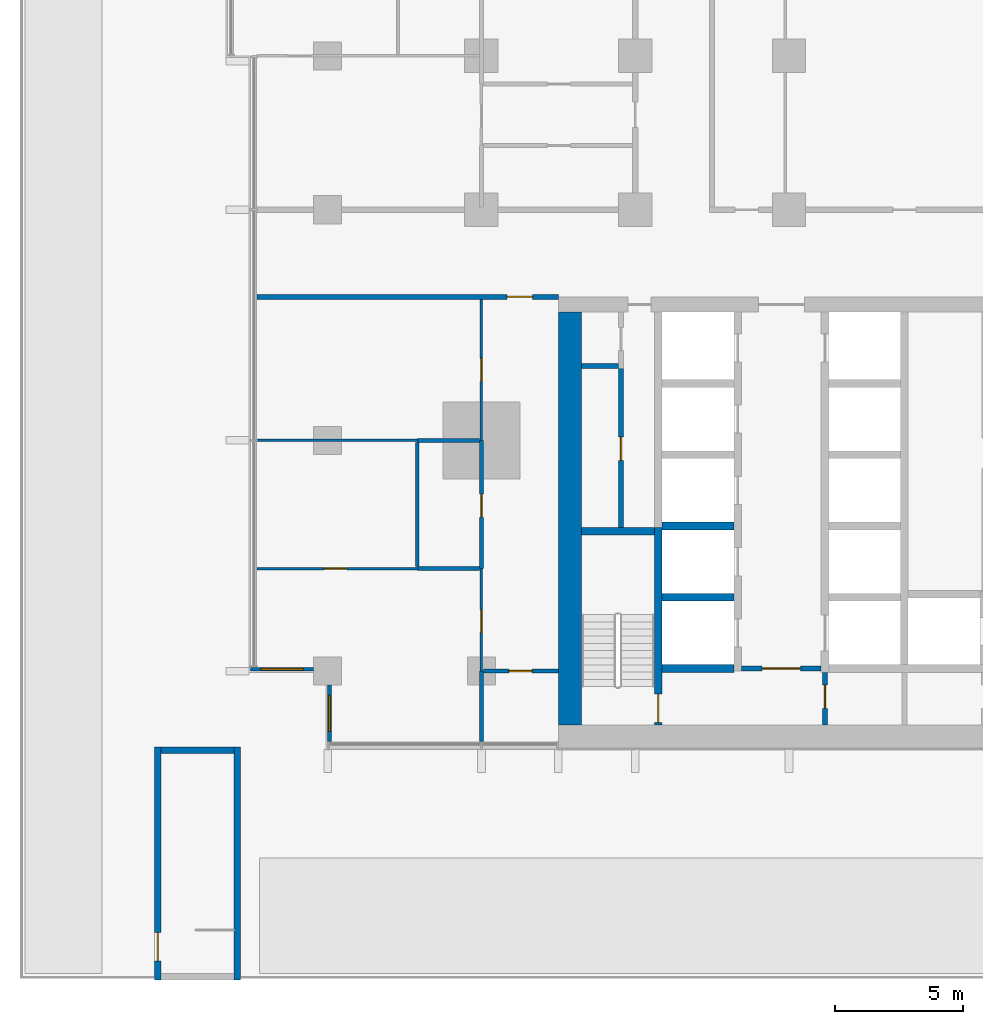
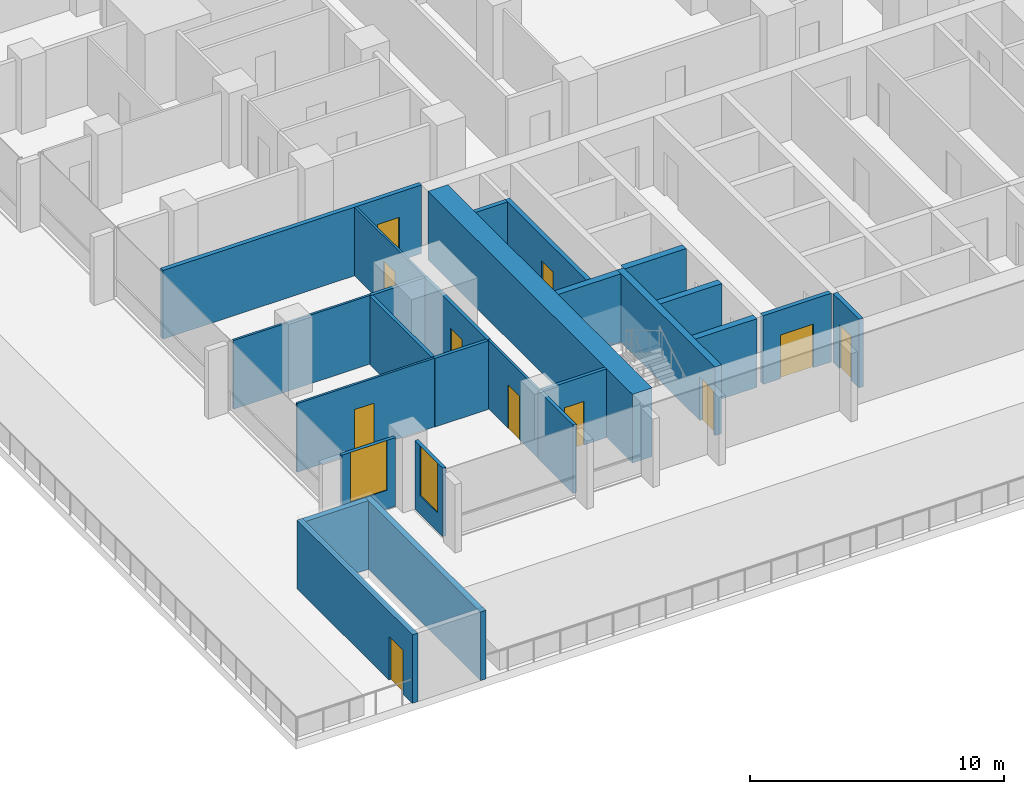
# One storey, part 9 of 25: 26 walls, 11 doors, 2 windows, 13 openings.
"""IFC4 building model written with IfcOpenShell, lengths in metres."""

from ifc_helpers import new_model, si_unit, direction, frame, frame_2d, origin, place, context, subcontext, project, spatial, rectangle, extrude, material, layer, layer_set, type_object, element, fill, save


model = new_model("IFC4")

# Units and contexts
model_context = context("Model", 3, precision=1e-05, world=origin(), true_north=direction((0.0, 1.0)))
body_context = subcontext(model_context, "Body", "Model", "MODEL_VIEW")
ifc_project = project(units=[si_unit("LENGTHUNIT", "METRE"), si_unit("AREAUNIT", "SQUARE_METRE"), si_unit("VOLUMEUNIT", "CUBIC_METRE"), si_unit("PLANEANGLEUNIT", "RADIAN"), si_unit("MASSUNIT", "GRAM", prefix="KILO")], contexts=[model_context])

# Site, building, storey
site_placement = place(None, origin())
site = spatial("IfcSite", under=ifc_project, at=site_placement, CompositionType="ELEMENT")
building_placement = place(site_placement, origin())
building = spatial("IfcBuilding", under=site, at=building_placement, Name="Finial Court Residences", CompositionType="ELEMENT")
storey_placement = place(building_placement, frame((0.0, 0.0, 32.5)))
storey = spatial("IfcBuildingStorey", under=building, at=storey_placement, Name="L06", CompositionType="ELEMENT", Elevation=32.5)

# Wall
ifc_material_1 = material(Name="Concrete C80/95", Category="concrete")
ifc_layer_1 = layer(ifc_material_1, 0.89990234375)
ifc_layer_set_1 = layer_set([ifc_layer_1], Name="Core outer wall 900 Concrete C80/95")
wall_type_1 = type_object("IfcWallType", Name="Core outer wall 900 Concrete C80/95", PredefinedType="SHEAR", material=ifc_layer_set_1)
wall_1_placement = place(storey_placement, frame((-13.050048828125, -24.60009765625, 0.0), z_axis=(0.0, 0.0, 1.0), x_axis=(0.0, 1.0, 0.0)))
element("IfcWall", 1, at=wall_1_placement, inside=storey, type_object=wall_type_1, Name="Core outer wall L06-03", PredefinedType="SHEAR", context=body_context, shape_type="SweptSolid", body=[
    extrude(rectangle(XDim=16.10009765625, YDim=0.89990234375, at=frame_2d((8.050048828125, 0.0))), origin(), (0.0, 0.0, 1.0), 3.300048828125),
])

# Wall, opening, door
ifc_material_2 = material(Name="Gypsum board")
ifc_layer_2 = layer(ifc_material_2, 0.02490234375)
ifc_material_3 = material(Name="Acoustic mineral wool in double frame")
ifc_layer_3 = layer(ifc_material_3, 0.14990234375)
ifc_layer_4 = layer(ifc_material_2, 0.02490234375)
ifc_layer_set_2 = layer_set([ifc_layer_2, ifc_layer_3, ifc_layer_4], Name="Corridor wall 200, 1 hour")
wall_type_2 = type_object("IfcWallType", Name="Corridor wall 200, 1 hour", PredefinedType="PARTITIONING", material=ifc_layer_set_2)
wall_2_placement = place(storey_placement, frame((-25.25, -7.89990234375, 0.0), z_axis=(0.0, 0.0, 1.0), x_axis=(1.0, 0.0, 0.0)))
wall_2 = element("IfcWall", 2, at=wall_2_placement, inside=storey, type_object=wall_type_2, Name="Partition L06-009", PredefinedType="PARTITIONING", context=body_context, shape_type="SweptSolid", body=[
    extrude(rectangle(XDim=11.75, YDim=0.199951171875, at=frame_2d((5.875, 0.0))), origin(), (0.0, 0.0, 1.0), 3.300048828125),
])
opening_1_placement = place(wall_2_placement, frame((9.75, 0.0, 0.0)))
opening_1 = element("IfcOpeningElement", 3, at=opening_1_placement, cuts=wall_2, Name="Opening L06-D005", PredefinedType="OPENING", context=body_context, shape_type="SweptSolid", body=[
    extrude(rectangle(XDim=1.0, YDim=2.10009765625, at=frame_2d((0.5, 1.050048828125))), frame((0.0, 0.10986328125, 0.0), z_axis=(0.0, -1.0, 0.0), x_axis=(1.0, 0.0, 0.0)), (0.0, 0.0, 1.0), 0.219970703125),
])
ifc_material_4 = material(Name="Timber door leaf in hollow metal frame", Category="wood")
door_type_1 = type_object("IfcDoorType", Name="Fire door set 1000 x 2100, 30 minutes", OperationType="SINGLE_SWING_LEFT", PredefinedType="DOOR", material=ifc_material_4)
door_1_placement = place(opening_1_placement, origin())
door_1 = element("IfcDoor", 4, at=door_1_placement, inside=storey, type_object=door_type_1, Name="Door L06-D005", OperationType="SINGLE_SWING_RIGHT", OverallHeight=2.10009765625, OverallWidth=1.0, PredefinedType="DOOR", context=body_context, shape_type="SweptSolid", body=[
    extrude(rectangle(XDim=1.0, YDim=2.10009765625, at=frame_2d((0.5, 1.050048828125))), frame((0.0, 0.02490234375, 0.0), z_axis=(0.0, -1.0, 0.0), x_axis=(1.0, 0.0, 0.0)), (0.0, 0.0, 1.0), 0.050048828125),
])
fill(opening_1, door_1)

ifc_layer_5 = layer(ifc_material_2, 0.012451171875)
ifc_material_5 = material(Name="Mineral wool in light-gauge frame")
ifc_layer_6 = layer(ifc_material_5, 0.074951171875)
ifc_layer_7 = layer(ifc_material_2, 0.012451171875)
ifc_layer_set_3 = layer_set([ifc_layer_5, ifc_layer_6, ifc_layer_7], Name="Gypsum board partition 100")
wall_type_3 = type_object("IfcWallType", Name="Gypsum board partition 100", PredefinedType="PARTITIONING", material=ifc_layer_set_3)
wall_3_placement = place(storey_placement, frame((-25.25, -18.5, 0.0), z_axis=(0.0, 0.0, 1.0), x_axis=(1.0, 0.0, 0.0)))
wall_3 = element("IfcWall", 5, at=wall_3_placement, inside=storey, type_object=wall_type_3, Name="Partition L06-002", PredefinedType="PARTITIONING", context=body_context, shape_type="SweptSolid", body=[
    extrude(rectangle(XDim=6.25, YDim=0.10009765625, at=frame_2d((3.125, 0.0))), origin(), (0.0, 0.0, 1.0), 3.300048828125),
])
opening_2_placement = place(wall_3_placement, frame((2.60009765625, 0.0, 0.0)))
opening_2 = element("IfcOpeningElement", 6, at=opening_2_placement, cuts=wall_3, Name="Opening L06-D003", PredefinedType="OPENING", context=body_context, shape_type="SweptSolid", body=[
    extrude(rectangle(XDim=0.89990234375, YDim=2.10009765625, at=frame_2d((0.449951171875, 1.050048828125))), frame((0.0, 0.06005859375, 0.0), z_axis=(0.0, -1.0, 0.0), x_axis=(1.0, 0.0, 0.0)), (0.0, 0.0, 1.0), 0.1201171875),
])
ifc_material_6 = material(Name="Timber door leaf in timber frame", Category="wood")
door_type_2 = type_object("IfcDoorType", Name="Door set 900 x 2100", OperationType="SINGLE_SWING_LEFT", PredefinedType="DOOR", material=ifc_material_6)
door_2_placement = place(opening_2_placement, origin())
door_2 = element("IfcDoor", 7, at=door_2_placement, inside=storey, type_object=door_type_2, Name="Door L06-D003", OperationType="SINGLE_SWING_RIGHT", OverallHeight=2.10009765625, OverallWidth=0.89990234375, PredefinedType="DOOR", context=body_context, shape_type="SweptSolid", body=[
    extrude(rectangle(XDim=0.89990234375, YDim=2.10009765625, at=frame_2d((0.449951171875, 1.050048828125))), frame((0.0, 0.02490234375, 0.0), z_axis=(0.0, -1.0, 0.0), x_axis=(1.0, 0.0, 0.0)), (0.0, 0.0, 1.0), 0.050048828125),
])
fill(opening_2, door_2)

# Wall
wall_4_placement = place(storey_placement, frame((-25.25, -13.5, 0.0), z_axis=(0.0, 0.0, 1.0), x_axis=(1.0, 0.0, 0.0)))
element("IfcWall", 8, at=wall_4_placement, inside=storey, type_object=wall_type_3, Name="Partition L06-005", PredefinedType="PARTITIONING", context=body_context, shape_type="SweptSolid", body=[
    extrude(rectangle(XDim=6.25, YDim=0.10009765625, at=frame_2d((3.125, 0.0))), origin(), (0.0, 0.0, 1.0), 3.300048828125),
])

# Wall, opening, door
wall_5_placement = place(storey_placement, frame((-16.5, -22.5, 0.0), z_axis=(0.0, 0.0, 1.0), x_axis=(0.0, 1.0, 0.0)))
wall_5 = element("IfcWall", 9, at=wall_5_placement, inside=storey, type_object=wall_type_3, Name="Partition L06-052", PredefinedType="PARTITIONING", context=body_context, shape_type="SweptSolid", body=[
    extrude(rectangle(XDim=4.0, YDim=0.10009765625, at=frame_2d((2.0, 0.0))), origin(), (0.0, 0.0, 1.0), 3.300048828125),
])
opening_3_placement = place(wall_5_placement, frame((1.5, 0.0, 0.0)))
opening_3 = element("IfcOpeningElement", 10, at=opening_3_placement, cuts=wall_5, Name="Opening L06-D037", PredefinedType="OPENING", context=body_context, shape_type="SweptSolid", body=[
    extrude(rectangle(XDim=0.89990234375, YDim=2.10009765625, at=frame_2d((0.449951171875, 1.050048828125))), frame((0.0, 0.06005859375, 0.0), z_axis=(0.0, -1.0, 0.0), x_axis=(1.0, 0.0, 0.0)), (0.0, 0.0, 1.0), 0.1201171875),
])
door_3_placement = place(opening_3_placement, origin())
door_3 = element("IfcDoor", 11, at=door_3_placement, inside=storey, type_object=door_type_2, Name="Door L06-D037", OperationType="SINGLE_SWING_RIGHT", OverallHeight=2.10009765625, OverallWidth=0.89990234375, PredefinedType="DOOR", context=body_context, shape_type="SweptSolid", body=[
    extrude(rectangle(XDim=0.89990234375, YDim=2.10009765625, at=frame_2d((0.449951171875, 1.050048828125))), frame((0.0, 0.02490234375, 0.0), z_axis=(0.0, -1.0, 0.0), x_axis=(1.0, 0.0, 0.0)), (0.0, 0.0, 1.0), 0.050048828125),
])
fill(opening_3, door_3)

wall_6_placement = place(storey_placement, frame((-16.5, -13.5, 0.0), z_axis=(0.0, 0.0, 1.0), x_axis=(0.0, 1.0, 0.0)))
wall_6 = element("IfcWall", 12, at=wall_6_placement, inside=storey, type_object=wall_type_3, Name="Partition L06-053", PredefinedType="PARTITIONING", context=body_context, shape_type="SweptSolid", body=[
    extrude(rectangle(XDim=5.5, YDim=0.10009765625, at=frame_2d((2.75, 0.0))), origin(), (0.0, 0.0, 1.0), 3.300048828125),
])
opening_4_placement = place(wall_6_placement, frame((2.300048828125, 0.0, 0.0)))
opening_4 = element("IfcOpeningElement", 13, at=opening_4_placement, cuts=wall_6, Name="Opening L06-D038", PredefinedType="OPENING", context=body_context, shape_type="SweptSolid", body=[
    extrude(rectangle(XDim=0.89990234375, YDim=2.10009765625, at=frame_2d((0.449951171875, 1.050048828125))), frame((0.0, 0.06005859375, 0.0), z_axis=(0.0, -1.0, 0.0), x_axis=(1.0, 0.0, 0.0)), (0.0, 0.0, 1.0), 0.1201171875),
])
door_4_placement = place(opening_4_placement, origin())
door_4 = element("IfcDoor", 14, at=door_4_placement, inside=storey, type_object=door_type_2, Name="Door L06-D038", OperationType="SINGLE_SWING_RIGHT", OverallHeight=2.10009765625, OverallWidth=0.89990234375, PredefinedType="DOOR", context=body_context, shape_type="SweptSolid", body=[
    extrude(rectangle(XDim=0.89990234375, YDim=2.10009765625, at=frame_2d((0.449951171875, 1.050048828125))), frame((0.0, 0.02490234375, 0.0), z_axis=(0.0, -1.0, 0.0), x_axis=(1.0, 0.0, 0.0)), (0.0, 0.0, 1.0), 0.050048828125),
])
fill(opening_4, door_4)

ifc_material_7 = material(Name="Moisture-resistant gypsum board")
ifc_layer_8 = layer(ifc_material_7, 0.012451171875)
ifc_layer_9 = layer(ifc_material_5, 0.125)
ifc_layer_10 = layer(ifc_material_7, 0.012451171875)
ifc_layer_set_4 = layer_set([ifc_layer_8, ifc_layer_9, ifc_layer_10], Name="Gypsum board wet-area partition 150")
wall_type_4 = type_object("IfcWallType", Name="Gypsum board wet-area partition 150", PredefinedType="PARTITIONING", material=ifc_layer_set_4)
wall_7_placement = place(storey_placement, frame((-16.425048828125, -22.5, 0.0), z_axis=(0.0, 0.0, 1.0), x_axis=(1.0, 0.0, 0.0)))
wall_7 = element("IfcWall", 15, at=wall_7_placement, inside=storey, type_object=wall_type_4, Name="Partition L06-000", PredefinedType="PARTITIONING", context=body_context, shape_type="SweptSolid", body=[
    extrude(rectangle(XDim=2.925048828125, YDim=0.14990234375, at=frame_2d((1.46240234375, 0.0))), origin(), (0.0, 0.0, 1.0), 3.300048828125),
])
opening_5_placement = place(wall_7_placement, frame((1.0, 0.0, 0.0)))
opening_5 = element("IfcOpeningElement", 16, at=opening_5_placement, cuts=wall_7, Name="Opening L06-D001", PredefinedType="OPENING", context=body_context, shape_type="SweptSolid", body=[
    extrude(rectangle(XDim=0.89990234375, YDim=2.10009765625, at=frame_2d((0.449951171875, 1.050048828125))), frame((0.0, 0.0849609375, 0.0), z_axis=(0.0, -1.0, 0.0), x_axis=(1.0, 0.0, 0.0)), (0.0, 0.0, 1.0), 0.169921875),
])
door_5_placement = place(opening_5_placement, origin())
door_5 = element("IfcDoor", 17, at=door_5_placement, inside=storey, type_object=door_type_2, Name="Door L06-D001", OperationType="SINGLE_SWING_LEFT", OverallHeight=2.10009765625, OverallWidth=0.89990234375, PredefinedType="DOOR", context=body_context, shape_type="SweptSolid", body=[
    extrude(rectangle(XDim=0.89990234375, YDim=2.10009765625, at=frame_2d((0.449951171875, 1.050048828125))), frame((0.0, 0.02490234375, 0.0), z_axis=(0.0, -1.0, 0.0), x_axis=(1.0, 0.0, 0.0)), (0.0, 0.0, 1.0), 0.050048828125),
])
fill(opening_5, door_5)

# Walls
for number, where, z_axis, x_axis, name in (
    (18, (-19.0, -18.5, 0.0), (0.0, 0.0, 1.0), (1.0, 0.0, 0.0), "Partition L06-003"),
    (19, (-19.0, -13.5, 0.0), (0.0, 0.0, 1.0), (1.0, 0.0, 0.0), "Partition L06-007"),
):
    element("IfcWall", number, at=place(storey_placement, frame(where, z_axis=z_axis, x_axis=x_axis)), inside=storey, type_object=wall_type_4, Name=name, PredefinedType="PARTITIONING", context=body_context, shape_type="SweptSolid", body=[
        extrude(rectangle(XDim=2.425048828125, YDim=0.14990234375, at=frame_2d((1.21240234375, 0.0))), origin(), (0.0, 0.0, 1.0), 3.300048828125),
    ])
wall_8_placement = place(storey_placement, frame((-19.0, -18.425048828125, 0.0), z_axis=(0.0, 0.0, 1.0), x_axis=(0.0, 1.0, 0.0)))
element("IfcWall", 20, at=wall_8_placement, inside=storey, type_object=wall_type_4, Name="Partition L06-050", PredefinedType="PARTITIONING", context=body_context, shape_type="SweptSolid", body=[
    extrude(rectangle(XDim=4.85009765625, YDim=0.14990234375, at=frame_2d((2.425048828125, 0.0))), origin(), (0.0, 0.0, 1.0), 3.300048828125),
])
wall_9_placement = place(storey_placement, frame((-16.5, -25.25, 0.0), z_axis=(0.0, 0.0, 1.0), x_axis=(0.0, 1.0, 0.0)))
element("IfcWall", 21, at=wall_9_placement, inside=storey, type_object=wall_type_4, Name="Partition L06-056", PredefinedType="PARTITIONING", context=body_context, shape_type="SweptSolid", body=[
    extrude(rectangle(XDim=2.75, YDim=0.14990234375, at=frame_2d((1.375, 0.0))), origin(), (0.0, 0.0, 1.0), 3.300048828125),
])

# Wall, opening, door
wall_10_placement = place(storey_placement, frame((-16.5, -18.5, 0.0), z_axis=(0.0, 0.0, 1.0), x_axis=(0.0, 1.0, 0.0)))
wall_10 = element("IfcWall", 22, at=wall_10_placement, inside=storey, type_object=wall_type_4, Name="Partition L06-057", PredefinedType="PARTITIONING", context=body_context, shape_type="SweptSolid", body=[
    extrude(rectangle(XDim=5.0, YDim=0.14990234375, at=frame_2d((2.5, 0.0))), origin(), (0.0, 0.0, 1.0), 3.300048828125),
])
opening_6_placement = place(wall_10_placement, frame((2.0, 0.0, 0.0)))
opening_6 = element("IfcOpeningElement", 23, at=opening_6_placement, cuts=wall_10, Name="Opening L06-D040", PredefinedType="OPENING", context=body_context, shape_type="SweptSolid", body=[
    extrude(rectangle(XDim=0.89990234375, YDim=2.10009765625, at=frame_2d((0.449951171875, 1.050048828125))), frame((0.0, 0.0849609375, 0.0), z_axis=(0.0, -1.0, 0.0), x_axis=(1.0, 0.0, 0.0)), (0.0, 0.0, 1.0), 0.169921875),
])
door_6_placement = place(opening_6_placement, origin())
door_6 = element("IfcDoor", 24, at=door_6_placement, inside=storey, type_object=door_type_2, Name="Door L06-D040", OperationType="SINGLE_SWING_RIGHT", OverallHeight=2.10009765625, OverallWidth=0.89990234375, PredefinedType="DOOR", context=body_context, shape_type="SweptSolid", body=[
    extrude(rectangle(XDim=0.89990234375, YDim=2.10009765625, at=frame_2d((0.449951171875, 1.050048828125))), frame((0.0, 0.02490234375, 0.0), z_axis=(0.0, -1.0, 0.0), x_axis=(1.0, 0.0, 0.0)), (0.0, 0.0, 1.0), 0.050048828125),
])
fill(opening_6, door_6)

# Walls
ifc_layer_11 = layer(ifc_material_1, 0.300048828125)
ifc_layer_set_5 = layer_set([ifc_layer_11], Name="Lift shaft and stair wall 300 Concrete C80/95")
wall_type_5 = type_object("IfcWallType", Name="Lift shaft and stair wall 300 Concrete C80/95", PredefinedType="SHEAR", material=ifc_layer_set_5)
for number, where, z_axis, x_axis, name in (
    (25, (-9.449951171875, -22.39990234375, 0.0), (0.0, 0.0, 1.0), (1.0, 0.0, 0.0), "Core wall L06-01"),
    (26, (-9.449951171875, -19.6201171875, 0.0), (0.0, 0.0, 1.0), (1.0, 0.0, 0.0), "Core wall L06-05"),
):
    element("IfcWall", number, at=place(storey_placement, frame(where, z_axis=z_axis, x_axis=x_axis)), inside=storey, type_object=wall_type_5, Name=name, PredefinedType="SHEAR", context=body_context, shape_type="SweptSolid", body=[
        extrude(rectangle(XDim=2.800048828125, YDim=0.300048828125, at=frame_2d((1.39990234375, 0.0))), origin(), (0.0, 0.0, 1.0), 3.300048828125),
    ])
wall_11_placement = place(storey_placement, frame((-12.60009765625, -17.050048828125, 0.0), z_axis=(0.0, 0.0, 1.0), x_axis=(1.0, 0.0, 0.0)))
element("IfcWall", 27, at=wall_11_placement, inside=storey, type_object=wall_type_5, Name="Core wall L06-10", PredefinedType="SHEAR", context=body_context, shape_type="SweptSolid", body=[
    extrude(rectangle(XDim=2.85009765625, YDim=0.300048828125, at=frame_2d((1.425048828125, 0.0))), origin(), (0.0, 0.0, 1.0), 3.300048828125),
])
wall_12_placement = place(storey_placement, frame((-9.449951171875, -16.840087890625, 0.0), z_axis=(0.0, 0.0, 1.0), x_axis=(1.0, 0.0, 0.0)))
element("IfcWall", 28, at=wall_12_placement, inside=storey, type_object=wall_type_5, Name="Core wall L06-12", PredefinedType="SHEAR", context=body_context, shape_type="SweptSolid", body=[
    extrude(rectangle(XDim=2.800048828125, YDim=0.300048828125, at=frame_2d((1.39990234375, 0.0))), origin(), (0.0, 0.0, 1.0), 3.300048828125),
])

# Wall, opening, door
wall_13_placement = place(storey_placement, frame((-9.60009765625, -24.60009765625, 0.0), z_axis=(0.0, 0.0, 1.0), x_axis=(0.0, 1.0, 0.0)))
wall_13 = element("IfcWall", 29, at=wall_13_placement, inside=storey, type_object=wall_type_5, Name="Core wall L06-23", PredefinedType="SHEAR", context=body_context, shape_type="SweptSolid", body=[
    extrude(rectangle(XDim=7.7001953125, YDim=0.300048828125, at=frame_2d((3.85009765625, 0.0))), origin(), (0.0, 0.0, 1.0), 3.300048828125),
])
opening_7_placement = place(wall_13_placement, frame((0.10009765625, 0.0, 0.0)))
opening_7 = element("IfcOpeningElement", 30, at=opening_7_placement, cuts=wall_13, Name="Opening L06-C17", PredefinedType="OPENING", context=body_context, shape_type="SweptSolid", body=[
    extrude(rectangle(XDim=1.10009765625, YDim=2.10009765625, at=frame_2d((0.550048828125, 1.050048828125))), frame((0.0, 0.159912109375, 0.0), z_axis=(0.0, -1.0, 0.0), x_axis=(1.0, 0.0, 0.0)), (0.0, 0.0, 1.0), 0.320068359375),
])
ifc_material_8 = material(Name="Steel fire door", Category="steel")
door_type_3 = type_object("IfcDoorType", Name="Stair door 1100 x 2100 EI 90", OperationType="NOTDEFINED", PredefinedType="DOOR", material=ifc_material_8)
door_7_placement = place(opening_7_placement, origin())
door_7 = element("IfcDoor", 31, at=door_7_placement, inside=storey, type_object=door_type_3, Name="Stair door L06-C17", OperationType="SINGLE_SWING_LEFT", OverallHeight=2.10009765625, OverallWidth=1.10009765625, PredefinedType="DOOR", context=body_context, shape_type="SweptSolid", body=[
    extrude(rectangle(XDim=1.10009765625, YDim=2.10009765625, at=frame_2d((0.550048828125, 1.050048828125))), frame((0.0, 0.02490234375, 0.0), z_axis=(0.0, -1.0, 0.0), x_axis=(1.0, 0.0, 0.0)), (0.0, 0.0, 1.0), 0.050048828125),
])
fill(opening_7, door_7)

# Wall, opening, window
ifc_material_9 = material(Name="Natural limestone", Category="masonry")
ifc_layer_12 = layer(ifc_material_9, 0.14990234375)
ifc_layer_set_6 = layer_set([ifc_layer_12], Name="Limestone clad wall 150")
wall_type_6 = type_object("IfcWallType", Name="Limestone clad wall 150", PredefinedType="SOLIDWALL", material=ifc_layer_set_6)
wall_14_placement = place(storey_placement, frame((-22.425048828125, -25.25, 0.0), z_axis=(0.0, 0.0, 1.0), x_axis=(0.0, 1.0, 0.0)))
wall_14 = element("IfcWall", 32, at=wall_14_placement, inside=storey, type_object=wall_type_6, Name="E-L06-NWW12", PredefinedType="SOLIDWALL", context=body_context, shape_type="SweptSolid", body=[
    extrude(rectangle(XDim=2.199951171875, YDim=0.14990234375, at=frame_2d((1.10009765625, 0.0))), origin(), (0.0, 0.0, 1.0), 3.300048828125),
])
opening_8_placement = place(wall_14_placement, frame((0.39990234375, 0.0, 0.89990234375)))
opening_8 = element("IfcOpeningElement", 33, at=opening_8_placement, cuts=wall_14, Name="Opening WE06-01", PredefinedType="OPENING", context=body_context, shape_type="SweptSolid", body=[
    extrude(rectangle(XDim=1.39990234375, YDim=2.39990234375, at=frame_2d((0.699951171875, 1.199951171875))), frame((0.0, 0.0849609375, 0.0), z_axis=(0.0, -1.0, 0.0), x_axis=(1.0, 0.0, 0.0)), (0.0, 0.0, 1.0), 0.169921875),
])
ifc_material_10 = material(Name="Clear low-e glass", Category="glass")
window_type_1 = type_object("IfcWindowType", Name="Corner window 1400 x 2400", PartitioningType="SINGLE_PANEL", PredefinedType="WINDOW", material=ifc_material_10)
window_1_placement = place(opening_8_placement, origin())
window_1 = element("IfcWindow", 34, at=window_1_placement, inside=storey, type_object=window_type_1, Name="E-L06-NWW12-W1", OverallHeight=2.39990234375, OverallWidth=1.39990234375, PartitioningType="SINGLE_PANEL", PredefinedType="WINDOW", context=body_context, shape_type="SweptSolid", body=[
    extrude(rectangle(XDim=1.39990234375, YDim=2.39990234375, at=frame_2d((0.699951171875, 1.199951171875))), frame((0.0, 0.030029296875, 0.0), z_axis=(0.0, -1.0, 0.0), x_axis=(1.0, 0.0, 0.0)), (0.0, 0.0, 1.0), 0.06005859375),
])
fill(opening_8, window_1)

wall_15_placement = place(storey_placement, frame((-23.050048828125, -22.425048828125, 0.0), z_axis=(0.0, 0.0, 1.0), x_axis=(-1.0, 0.0, 0.0)))
wall_15 = element("IfcWall", 35, at=wall_15_placement, inside=storey, type_object=wall_type_6, Name="E-L06-NWS13", PredefinedType="SOLIDWALL", context=body_context, shape_type="SweptSolid", body=[
    extrude(rectangle(XDim=2.449951171875, YDim=0.14990234375, at=frame_2d((1.22509765625, 0.0))), origin(), (0.0, 0.0, 1.0), 3.300048828125),
])
opening_9_placement = place(wall_15_placement, frame((0.39990234375, 0.0, 0.89990234375)))
opening_9 = element("IfcOpeningElement", 36, at=opening_9_placement, cuts=wall_15, Name="Opening WE06-02", PredefinedType="OPENING", context=body_context, shape_type="SweptSolid", body=[
    extrude(rectangle(XDim=1.64990234375, YDim=2.39990234375, at=frame_2d((0.824951171875, 1.199951171875))), frame((0.0, 0.0849609375, 0.0), z_axis=(0.0, -1.0, 0.0), x_axis=(1.0, 0.0, 0.0)), (0.0, 0.0, 1.0), 0.169921875),
])
window_type_2 = type_object("IfcWindowType", Name="Corner window 1650 x 2400", PartitioningType="SINGLE_PANEL", PredefinedType="WINDOW", material=ifc_material_10)
window_2_placement = place(opening_9_placement, origin())
window_2 = element("IfcWindow", 37, at=window_2_placement, inside=storey, type_object=window_type_2, Name="E-L06-NWS13-W1", OverallHeight=2.39990234375, OverallWidth=1.64990234375, PartitioningType="SINGLE_PANEL", PredefinedType="WINDOW", context=body_context, shape_type="SweptSolid", body=[
    extrude(rectangle(XDim=1.64990234375, YDim=2.39990234375, at=frame_2d((0.824951171875, 1.199951171875))), frame((0.0, 0.030029296875, 0.0), z_axis=(0.0, -1.0, 0.0), x_axis=(1.0, 0.0, 0.0)), (0.0, 0.0, 1.0), 0.06005859375),
])
fill(opening_9, window_2)

# Wall
ifc_material_11 = material(Name="Fire-rated gypsum board partition")
ifc_layer_13 = layer(ifc_material_11, 0.199951171875)
ifc_layer_set_7 = layer_set([ifc_layer_13], Name="Riser room wall 200 EI 120")
wall_type_7 = type_object("IfcWallType", Name="Riser room wall 200 EI 120", PredefinedType="PARTITIONING", material=ifc_layer_set_7)
wall_16_placement = place(storey_placement, frame((-12.60009765625, -10.60009765625, 0.0), z_axis=(0.0, 0.0, 1.0), x_axis=(1.0, 0.0, 0.0)))
element("IfcWall", 38, at=wall_16_placement, inside=storey, type_object=wall_type_7, Name="Core partition L06-20", PredefinedType="PARTITIONING", context=body_context, shape_type="SweptSolid", body=[
    extrude(rectangle(XDim=1.4501953125, YDim=0.199951171875, at=frame_2d((0.72509765625, 0.0))), origin(), (0.0, 0.0, 1.0), 3.300048828125),
])

# Wall, opening, door
ifc_material_12 = material(Name="Concrete C50/60", Category="concrete")
ifc_layer_14 = layer(ifc_material_12, 0.25)
ifc_layer_set_8 = layer_set([ifc_layer_14], Name="Stair head-house wall 250 Concrete C50/60")
wall_type_8 = type_object("IfcWallType", Name="Stair head-house wall 250 Concrete C50/60", PredefinedType="SHEAR", material=ifc_layer_set_8)
wall_17_placement = place(storey_placement, frame((-29.125, -34.550048828125, 0.0), z_axis=(0.0, 0.0, 1.0), x_axis=(0.0, 1.0, 0.0)))
wall_17 = element("IfcWall", 39, at=wall_17_placement, inside=storey, type_object=wall_type_8, Name="Exit Stair 4 head-house wall W", PredefinedType="SHEAR", context=body_context, shape_type="SweptSolid", body=[
    extrude(rectangle(XDim=9.080078125, YDim=0.25, at=frame_2d((4.5400390625, 0.0))), origin(), (0.0, 0.0, 1.0), 3.300048828125),
])
opening_10_placement = place(wall_17_placement, frame((0.75, 0.0, 0.0)))
opening_10 = element("IfcOpeningElement", 40, at=opening_10_placement, cuts=wall_17, Name="Opening ST-4-HH", PredefinedType="OPENING", context=body_context, shape_type="SweptSolid", body=[
    extrude(rectangle(XDim=1.10009765625, YDim=2.10009765625, at=frame_2d((0.550048828125, 1.050048828125))), frame((0.0, 0.135009765625, 0.0), z_axis=(0.0, -1.0, 0.0), x_axis=(1.0, 0.0, 0.0)), (0.0, 0.0, 1.0), 0.27001953125),
])
door_8_placement = place(opening_10_placement, origin())
door_8 = element("IfcDoor", 41, at=door_8_placement, inside=storey, type_object=door_type_3, Name="Exit Stair 4 terrace door", OperationType="SINGLE_SWING_LEFT", OverallHeight=2.10009765625, OverallWidth=1.10009765625, PredefinedType="DOOR", context=body_context, shape_type="SweptSolid", body=[
    extrude(rectangle(XDim=1.10009765625, YDim=2.10009765625, at=frame_2d((0.550048828125, 1.050048828125))), frame((0.0, 0.02490234375, 0.0), z_axis=(0.0, -1.0, 0.0), x_axis=(1.0, 0.0, 0.0)), (0.0, 0.0, 1.0), 0.050048828125),
])
fill(opening_10, door_8)

# Walls
wall_18_placement = place(storey_placement, frame((-26.02490234375, -34.550048828125, 0.0), z_axis=(0.0, 0.0, 1.0), x_axis=(0.0, 1.0, 0.0)))
element("IfcWall", 42, at=wall_18_placement, inside=storey, type_object=wall_type_8, Name="Exit Stair 4 head-house wall E", PredefinedType="SHEAR", context=body_context, shape_type="SweptSolid", body=[
    extrude(rectangle(XDim=9.080078125, YDim=0.25, at=frame_2d((4.5400390625, 0.0))), origin(), (0.0, 0.0, 1.0), 3.300048828125),
])
wall_19_placement = place(storey_placement, frame((-29.0, -25.594970703125, 0.0), z_axis=(0.0, 0.0, 1.0), x_axis=(1.0, 0.0, 0.0)))
element("IfcWall", 43, at=wall_19_placement, inside=storey, type_object=wall_type_8, Name="Exit Stair 4 head-house wall N", PredefinedType="SHEAR", context=body_context, shape_type="SweptSolid", body=[
    extrude(rectangle(XDim=2.85009765625, YDim=0.25, at=frame_2d((1.425048828125, 0.0))), origin(), (0.0, 0.0, 1.0), 3.300048828125),
])

# Wall, opening, door
ifc_layer_15 = layer(ifc_material_11, 0.199951171875)
ifc_layer_set_9 = layer_set([ifc_layer_15], Name="Stair passage wall 200 EI 180")
wall_type_9 = type_object("IfcWallType", Name="Stair passage wall 200 EI 180", PredefinedType="PARTITIONING", material=ifc_layer_set_9)
wall_20_placement = place(storey_placement, frame((-3.25, -22.39990234375, 0.0), z_axis=(0.0, 0.0, 1.0), x_axis=(-1.0, 0.0, 0.0)))
wall_20 = element("IfcWall", 44, at=wall_20_placement, inside=storey, type_object=wall_type_9, Name="Core partition L06-02", PredefinedType="PARTITIONING", context=body_context, shape_type="SweptSolid", body=[
    extrude(rectangle(XDim=3.10009765625, YDim=0.199951171875, at=frame_2d((1.550048828125, 0.0))), origin(), (0.0, 0.0, 1.0), 3.300048828125),
])
opening_11_placement = place(wall_20_placement, frame((0.800048828125, 0.0, 0.0)))
opening_11 = element("IfcOpeningElement", 45, at=opening_11_placement, cuts=wall_20, Name="Opening L06-C03", PredefinedType="OPENING", context=body_context, shape_type="SweptSolid", body=[
    extrude(rectangle(XDim=1.5, YDim=2.10009765625, at=frame_2d((0.75, 1.050048828125))), frame((0.0, 0.10986328125, 0.0), z_axis=(0.0, -1.0, 0.0), x_axis=(1.0, 0.0, 0.0)), (0.0, 0.0, 1.0), 0.219970703125),
])
door_type_4 = type_object("IfcDoorType", Name="Lift lobby door 1500 x 2100 EI 60", OperationType="DOUBLE_DOOR_SINGLE_SWING", PredefinedType="DOOR", material=ifc_material_8)
door_9_placement = place(opening_11_placement, origin())
door_9 = element("IfcDoor", 46, at=door_9_placement, inside=storey, type_object=door_type_4, Name="Lift lobby door L06-C03", OperationType="DOUBLE_DOOR_SINGLE_SWING", OverallHeight=2.10009765625, OverallWidth=1.5, PredefinedType="DOOR", context=body_context, shape_type="SweptSolid", body=[
    extrude(rectangle(XDim=1.5, YDim=2.10009765625, at=frame_2d((0.75, 1.050048828125))), frame((0.0, 0.02490234375, 0.0), z_axis=(0.0, -1.0, 0.0), x_axis=(1.0, 0.0, 0.0)), (0.0, 0.0, 1.0), 0.050048828125),
])
fill(opening_11, door_9)

wall_21_placement = place(storey_placement, frame((-11.050048828125, -16.89990234375, 0.0), z_axis=(0.0, 0.0, 1.0), x_axis=(0.0, 1.0, 0.0)))
wall_21 = element("IfcWall", 47, at=wall_21_placement, inside=storey, type_object=wall_type_9, Name="Core partition L06-21", PredefinedType="PARTITIONING", context=body_context, shape_type="SweptSolid", body=[
    extrude(rectangle(XDim=6.39990234375, YDim=0.199951171875, at=frame_2d((3.199951171875, 0.0))), origin(), (0.0, 0.0, 1.0), 3.300048828125),
])
opening_12_placement = place(wall_21_placement, frame((2.625, 0.0, 0.0)))
opening_12 = element("IfcOpeningElement", 48, at=opening_12_placement, cuts=wall_21, Name="Opening L06-C12", PredefinedType="OPENING", context=body_context, shape_type="SweptSolid", body=[
    extrude(rectangle(XDim=0.89990234375, YDim=2.10009765625, at=frame_2d((0.449951171875, 1.050048828125))), frame((0.0, 0.10986328125, 0.0), z_axis=(0.0, -1.0, 0.0), x_axis=(1.0, 0.0, 0.0)), (0.0, 0.0, 1.0), 0.219970703125),
])
door_type_5 = type_object("IfcDoorType", Name="Core room door 900 x 2100 EI 60", OperationType="NOTDEFINED", PredefinedType="DOOR", material=ifc_material_8)
door_10_placement = place(opening_12_placement, origin())
door_10 = element("IfcDoor", 49, at=door_10_placement, inside=storey, type_object=door_type_5, Name="Core room door L06-C12", OperationType="SINGLE_SWING_RIGHT", OverallHeight=2.10009765625, OverallWidth=0.89990234375, PredefinedType="DOOR", context=body_context, shape_type="SweptSolid", body=[
    extrude(rectangle(XDim=0.89990234375, YDim=2.10009765625, at=frame_2d((0.449951171875, 1.050048828125))), frame((0.0, 0.02490234375, 0.0), z_axis=(0.0, -1.0, 0.0), x_axis=(1.0, 0.0, 0.0)), (0.0, 0.0, 1.0), 0.050048828125),
])
fill(opening_12, door_10)

wall_22_placement = place(storey_placement, frame((-3.10009765625, -22.550048828125, 0.0), z_axis=(0.0, 0.0, 1.0), x_axis=(0.0, -1.0, 0.0)))
wall_22 = element("IfcWall", 50, at=wall_22_placement, inside=storey, type_object=wall_type_9, Name="Core partition L06-26", PredefinedType="PARTITIONING", context=body_context, shape_type="SweptSolid", body=[
    extrude(rectangle(XDim=2.050048828125, YDim=0.199951171875, at=frame_2d((1.02490234375, 0.0))), origin(), (0.0, 0.0, 1.0), 3.300048828125),
])
opening_13_placement = place(wall_22_placement, frame((0.5, 0.0, 0.0)))
opening_13 = element("IfcOpeningElement", 51, at=opening_13_placement, cuts=wall_22, Name="Opening L06-C11", PredefinedType="OPENING", context=body_context, shape_type="SweptSolid", body=[
    extrude(rectangle(XDim=0.89990234375, YDim=2.10009765625, at=frame_2d((0.449951171875, 1.050048828125))), frame((0.0, 0.10986328125, 0.0), z_axis=(0.0, -1.0, 0.0), x_axis=(1.0, 0.0, 0.0)), (0.0, 0.0, 1.0), 0.219970703125),
])
door_11_placement = place(opening_13_placement, origin())
door_11 = element("IfcDoor", 52, at=door_11_placement, inside=storey, type_object=door_type_5, Name="Core room door L06-C11", OperationType="SINGLE_SWING_RIGHT", OverallHeight=2.10009765625, OverallWidth=0.89990234375, PredefinedType="DOOR", context=body_context, shape_type="SweptSolid", body=[
    extrude(rectangle(XDim=0.89990234375, YDim=2.10009765625, at=frame_2d((0.449951171875, 1.050048828125))), frame((0.0, 0.02490234375, 0.0), z_axis=(0.0, -1.0, 0.0), x_axis=(1.0, 0.0, 0.0)), (0.0, 0.0, 1.0), 0.050048828125),
])
fill(opening_13, door_11)

save(model, "model.ifc")
